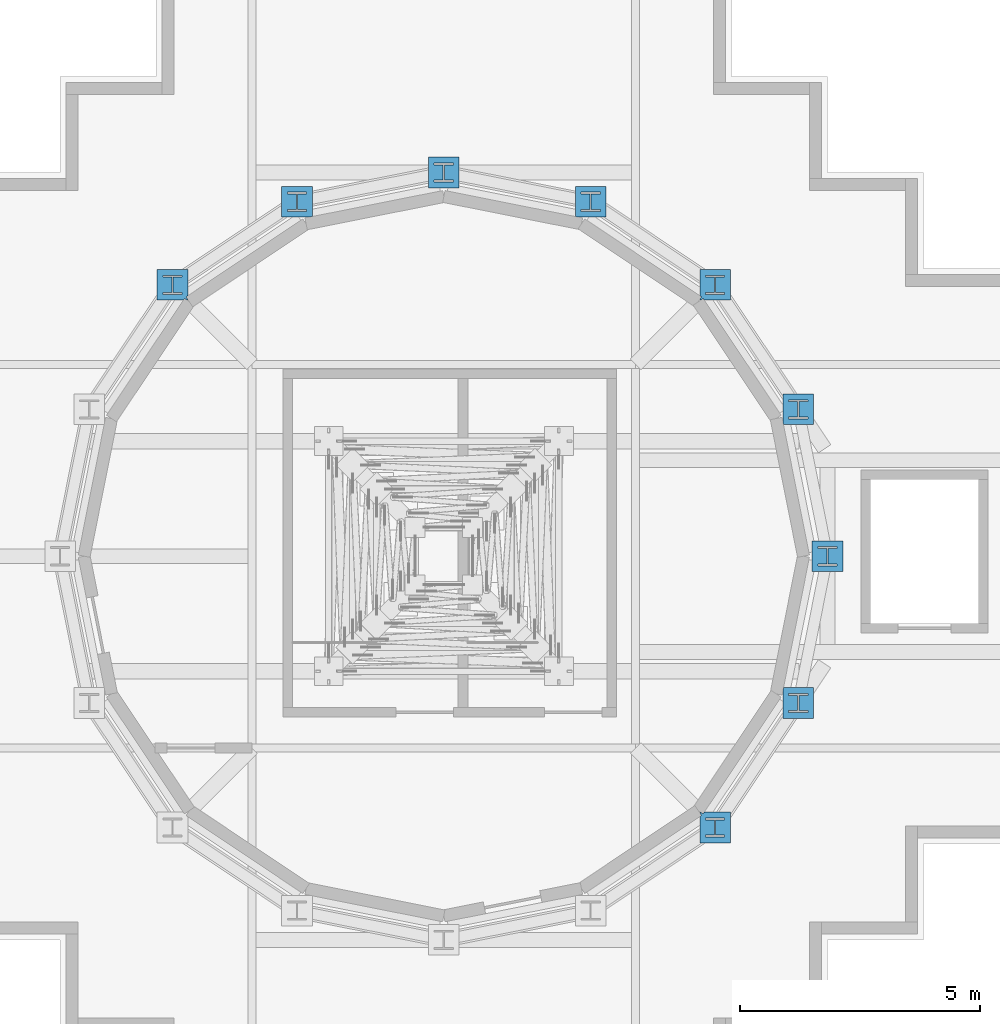
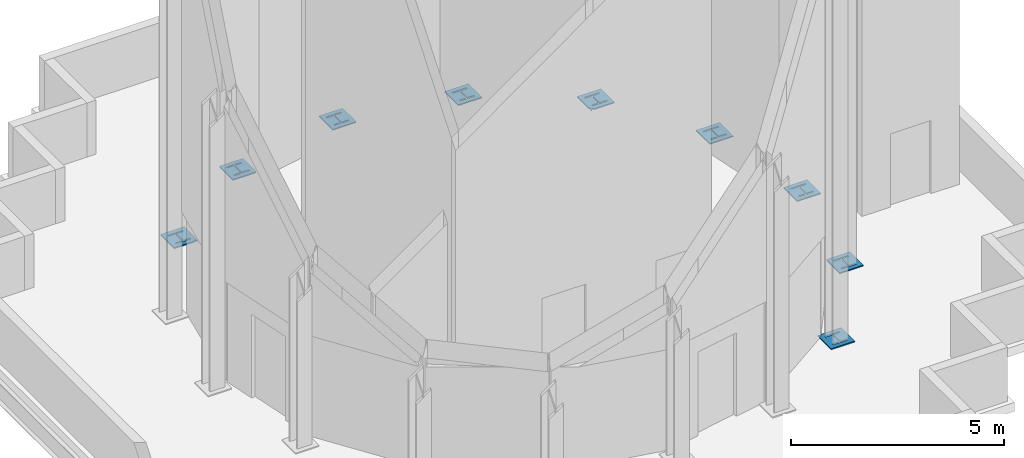
# One storey, part 14 of 15: 9 discrete accessories.
"""IFC4 building model written with IfcOpenShell, lengths in metres."""

from ifc_helpers import new_model, si_unit, direction, frame, origin, place, context, subcontext, project, spatial, polyline, outline, extrude, material, layer, layer_set, type_object, element, save


model = new_model("IFC4")

# Units and contexts
model_context = context("Model", 3, precision=1e-05, world=origin(), true_north=direction((0.0, 1.0)))
body_context = subcontext(model_context, "Body", "Model", "MODEL_VIEW")
ifc_project = project(units=[si_unit("LENGTHUNIT", "METRE"), si_unit("AREAUNIT", "SQUARE_METRE"), si_unit("VOLUMEUNIT", "CUBIC_METRE"), si_unit("PLANEANGLEUNIT", "RADIAN"), si_unit("MASSUNIT", "GRAM", prefix="KILO")], contexts=[model_context])

# Site, building, storey
site_placement = place(None, origin())
site = spatial("IfcSite", under=ifc_project, at=site_placement, CompositionType="ELEMENT")
building_placement = place(site_placement, origin())
building = spatial("IfcBuilding", under=site, at=building_placement, Name="Immortelle Media Tower", CompositionType="ELEMENT")
storey_placement = place(building_placement, frame((0.0, 0.0, 308.0)))
storey = spatial("IfcBuildingStorey", under=building, at=storey_placement, Name="Roof", CompositionType="ELEMENT", Elevation=308.0)

# Discrete accessories
ifc_material = material(Name="Steel ASTM A572 Gr 50", Category="steel")
ifc_layer = layer(ifc_material, 0.030029296875)
ifc_layer_set = layer_set([ifc_layer], Name="Steel ASTM A572 Gr 50")
discrete_accessory_type = type_object("IfcDiscreteAccessoryType", Name="Column foot plate BP5 640 x 640 x 30", PredefinedType="ANCHORPLATE", material=ifc_layer_set)
discrete_accessory_1_placement = place(storey_placement, frame((20.0, 12.0, 0.0), z_axis=(0.0, 0.0, 1.0), x_axis=(1.0, 0.0, 0.0)))
element("IfcDiscreteAccessory", 1, at=discrete_accessory_1_placement, inside=storey, type_object=discrete_accessory_type, Name="Foot plate BP5 of Drum column 1", PredefinedType="ANCHORPLATE", context=body_context, shape_type="SweptSolid", body=[
    extrude(outline(polyline([(-0.320068359375, -0.320068359375), (0.320068359375, -0.320068359375), (0.320068359375, 0.320068359375), (-0.320068359375, 0.320068359375), (-0.320068359375, -0.320068359375)]), holes=[polyline([(0.012451171875, -0.159423828125), (0.200439453125, -0.159423828125), (0.200439453125, -0.199462890625), (0.012451171875, -0.199462890625), (-0.012451171875, -0.199462890625), (-0.200439453125, -0.199462890625), (-0.200439453125, -0.159423828125), (-0.012451171875, -0.159423828125), (-0.012451171875, 0.159423828125), (-0.200439453125, 0.159423828125), (-0.200439453125, 0.199462890625), (-0.012451171875, 0.199462890625), (0.012451171875, 0.199462890625), (0.200439453125, 0.199462890625), (0.200439453125, 0.159423828125), (0.012451171875, 0.159423828125), (0.012451171875, -0.159423828125)])]), origin(), (0.0, 0.0, 1.0), 0.030029296875),
])
discrete_accessory_2_placement = place(storey_placement, frame((19.39111328125, 15.0615234375, 0.0), z_axis=(0.0, 0.0, 1.0), x_axis=(1.0, 0.0, 0.0)))
element("IfcDiscreteAccessory", 2, at=discrete_accessory_2_placement, inside=storey, type_object=discrete_accessory_type, Name="Foot plate BP5 of Drum column 2", PredefinedType="ANCHORPLATE", context=body_context, shape_type="SweptSolid", body=[
    extrude(outline(polyline([(0.320068359375, 0.320068359375), (-0.320068359375, 0.320068359375), (-0.320068359375, -0.26416015625), (-0.308837890625, -0.320068359375), (0.320068359375, -0.320068359375), (0.320068359375, 0.320068359375)]), holes=[polyline([(0.012451171875, -0.159423828125), (0.200439453125, -0.159423828125), (0.200439453125, -0.199462890625), (0.012451171875, -0.199462890625), (-0.012451171875, -0.199462890625), (-0.200439453125, -0.199462890625), (-0.200439453125, -0.159423828125), (-0.012451171875, -0.159423828125), (-0.012451171875, 0.159423828125), (-0.200439453125, 0.159423828125), (-0.200439453125, 0.199462890625), (-0.012451171875, 0.199462890625), (0.012451171875, 0.199462890625), (0.200439453125, 0.199462890625), (0.200439453125, 0.159423828125), (0.012451171875, 0.159423828125), (0.012451171875, -0.159423828125)])]), origin(), (0.0, 0.0, 1.0), 0.030029296875),
])
discrete_accessory_3_placement = place(storey_placement, frame((17.656982421875, 17.656982421875, 0.0), z_axis=(0.0, 0.0, 1.0), x_axis=(1.0, 0.0, 0.0)))
element("IfcDiscreteAccessory", 3, at=discrete_accessory_3_placement, inside=storey, type_object=discrete_accessory_type, Name="Foot plate BP5 of Drum column 3", PredefinedType="ANCHORPLATE", context=body_context, shape_type="SweptSolid", body=[
    extrude(outline(polyline([(0.320068359375, 0.320068359375), (-0.320068359375, 0.320068359375), (-0.320068359375, -0.225830078125), (-0.2841796875, -0.249755859375), (-0.320068359375, -0.30322265625), (-0.320068359375, -0.320068359375), (-0.30322265625, -0.320068359375), (-0.249755859375, -0.2841796875), (-0.225830078125, -0.320068359375), (0.320068359375, -0.320068359375), (0.320068359375, 0.320068359375)]), holes=[polyline([(0.012451171875, -0.159423828125), (0.200439453125, -0.159423828125), (0.200439453125, -0.199462890625), (0.012451171875, -0.199462890625), (-0.012451171875, -0.199462890625), (-0.200439453125, -0.199462890625), (-0.200439453125, -0.159423828125), (-0.012451171875, -0.159423828125), (-0.012451171875, 0.159423828125), (-0.200439453125, 0.159423828125), (-0.200439453125, 0.199462890625), (-0.012451171875, 0.199462890625), (0.012451171875, 0.199462890625), (0.200439453125, 0.199462890625), (0.200439453125, 0.159423828125), (0.012451171875, 0.159423828125), (0.012451171875, -0.159423828125)])]), origin(), (0.0, 0.0, 1.0), 0.030029296875),
])
discrete_accessory_4_placement = place(storey_placement, frame((15.0615234375, 19.39111328125, 0.0), z_axis=(0.0, 0.0, 1.0), x_axis=(1.0, 0.0, 0.0)))
element("IfcDiscreteAccessory", 4, at=discrete_accessory_4_placement, inside=storey, type_object=discrete_accessory_type, Name="Foot plate BP5 of Drum column 4", PredefinedType="ANCHORPLATE", context=body_context, shape_type="SweptSolid", body=[
    extrude(outline(polyline([(0.320068359375, 0.320068359375), (-0.320068359375, 0.320068359375), (-0.320068359375, -0.308837890625), (-0.26416015625, -0.320068359375), (0.320068359375, -0.320068359375), (0.320068359375, 0.320068359375)]), holes=[polyline([(0.012451171875, -0.159423828125), (0.200439453125, -0.159423828125), (0.200439453125, -0.199462890625), (0.012451171875, -0.199462890625), (-0.012451171875, -0.199462890625), (-0.200439453125, -0.199462890625), (-0.200439453125, -0.159423828125), (-0.012451171875, -0.159423828125), (-0.012451171875, 0.159423828125), (-0.200439453125, 0.159423828125), (-0.200439453125, 0.199462890625), (-0.012451171875, 0.199462890625), (0.012451171875, 0.199462890625), (0.200439453125, 0.199462890625), (0.200439453125, 0.159423828125), (0.012451171875, 0.159423828125), (0.012451171875, -0.159423828125)])]), origin(), (0.0, 0.0, 1.0), 0.030029296875),
])
discrete_accessory_5_placement = place(storey_placement, frame((12.0, 20.0, 0.0), z_axis=(0.0, 0.0, 1.0), x_axis=(1.0, 0.0, 0.0)))
element("IfcDiscreteAccessory", 5, at=discrete_accessory_5_placement, inside=storey, type_object=discrete_accessory_type, Name="Foot plate BP5 of Drum column 5", PredefinedType="ANCHORPLATE", context=body_context, shape_type="SweptSolid", body=[
    extrude(outline(polyline([(-0.320068359375, -0.320068359375), (0.320068359375, -0.320068359375), (0.320068359375, 0.320068359375), (-0.320068359375, 0.320068359375), (-0.320068359375, -0.320068359375)]), holes=[polyline([(0.012451171875, -0.159423828125), (0.200439453125, -0.159423828125), (0.200439453125, -0.199462890625), (0.012451171875, -0.199462890625), (-0.012451171875, -0.199462890625), (-0.200439453125, -0.199462890625), (-0.200439453125, -0.159423828125), (-0.012451171875, -0.159423828125), (-0.012451171875, 0.159423828125), (-0.200439453125, 0.159423828125), (-0.200439453125, 0.199462890625), (-0.012451171875, 0.199462890625), (0.012451171875, 0.199462890625), (0.200439453125, 0.199462890625), (0.200439453125, 0.159423828125), (0.012451171875, 0.159423828125), (0.012451171875, -0.159423828125)])]), origin(), (0.0, 0.0, 1.0), 0.030029296875),
])
discrete_accessory_6_placement = place(storey_placement, frame((8.9384765625, 19.39111328125, 0.0), z_axis=(0.0, 0.0, 1.0), x_axis=(1.0, 0.0, 0.0)))
element("IfcDiscreteAccessory", 6, at=discrete_accessory_6_placement, inside=storey, type_object=discrete_accessory_type, Name="Foot plate BP5 of Drum column 6", PredefinedType="ANCHORPLATE", context=body_context, shape_type="SweptSolid", body=[
    extrude(outline(polyline([(-0.320068359375, 0.320068359375), (-0.320068359375, -0.320068359375), (0.26416015625, -0.320068359375), (0.320068359375, -0.308837890625), (0.320068359375, 0.320068359375), (-0.320068359375, 0.320068359375)]), holes=[polyline([(0.012451171875, -0.159423828125), (0.200439453125, -0.159423828125), (0.200439453125, -0.199462890625), (0.012451171875, -0.199462890625), (-0.012451171875, -0.199462890625), (-0.200439453125, -0.199462890625), (-0.200439453125, -0.159423828125), (-0.012451171875, -0.159423828125), (-0.012451171875, 0.159423828125), (-0.200439453125, 0.159423828125), (-0.200439453125, 0.199462890625), (-0.012451171875, 0.199462890625), (0.012451171875, 0.199462890625), (0.200439453125, 0.199462890625), (0.200439453125, 0.159423828125), (0.012451171875, 0.159423828125), (0.012451171875, -0.159423828125)])]), origin(), (0.0, 0.0, 1.0), 0.030029296875),
])
discrete_accessory_7_placement = place(storey_placement, frame((6.343017578125, 17.656982421875, 0.0), z_axis=(0.0, 0.0, 1.0), x_axis=(1.0, 0.0, 0.0)))
element("IfcDiscreteAccessory", 7, at=discrete_accessory_7_placement, inside=storey, type_object=discrete_accessory_type, Name="Foot plate BP5 of Drum column 7", PredefinedType="ANCHORPLATE", context=body_context, shape_type="SweptSolid", body=[
    extrude(outline(polyline([(0.30322265625, -0.320068359375), (0.320068359375, -0.320068359375), (0.320068359375, -0.30322265625), (0.2841796875, -0.249755859375), (0.320068359375, -0.225830078125), (0.320068359375, 0.320068359375), (-0.320068359375, 0.320068359375), (-0.320068359375, -0.320068359375), (0.225830078125, -0.320068359375), (0.249755859375, -0.2841796875), (0.30322265625, -0.320068359375)]), holes=[polyline([(0.012451171875, -0.159423828125), (0.200439453125, -0.159423828125), (0.200439453125, -0.199462890625), (0.012451171875, -0.199462890625), (-0.012451171875, -0.199462890625), (-0.200439453125, -0.199462890625), (-0.200439453125, -0.159423828125), (-0.012451171875, -0.159423828125), (-0.012451171875, 0.159423828125), (-0.200439453125, 0.159423828125), (-0.200439453125, 0.199462890625), (-0.012451171875, 0.199462890625), (0.012451171875, 0.199462890625), (0.200439453125, 0.199462890625), (0.200439453125, 0.159423828125), (0.012451171875, 0.159423828125), (0.012451171875, -0.159423828125)])]), origin(), (0.0, 0.0, 1.0), 0.030029296875),
])
discrete_accessory_8_placement = place(storey_placement, frame((17.656982421875, 6.343017578125, 0.0), z_axis=(0.0, 0.0, 1.0), x_axis=(1.0, 0.0, 0.0)))
element("IfcDiscreteAccessory", 8, at=discrete_accessory_8_placement, inside=storey, type_object=discrete_accessory_type, Name="Foot plate BP5 of Drum column 15", PredefinedType="ANCHORPLATE", context=body_context, shape_type="SweptSolid", body=[
    extrude(outline(polyline([(0.320068359375, -0.320068359375), (0.320068359375, 0.320068359375), (-0.225830078125, 0.320068359375), (-0.249755859375, 0.2841796875), (-0.30322265625, 0.320068359375), (-0.320068359375, 0.320068359375), (-0.320068359375, 0.30322265625), (-0.2841796875, 0.249755859375), (-0.320068359375, 0.225830078125), (-0.320068359375, -0.320068359375), (0.320068359375, -0.320068359375)]), holes=[polyline([(0.012451171875, -0.159423828125), (0.200439453125, -0.159423828125), (0.200439453125, -0.199462890625), (0.012451171875, -0.199462890625), (-0.012451171875, -0.199462890625), (-0.200439453125, -0.199462890625), (-0.200439453125, -0.159423828125), (-0.012451171875, -0.159423828125), (-0.012451171875, 0.159423828125), (-0.200439453125, 0.159423828125), (-0.200439453125, 0.199462890625), (-0.012451171875, 0.199462890625), (0.012451171875, 0.199462890625), (0.200439453125, 0.199462890625), (0.200439453125, 0.159423828125), (0.012451171875, 0.159423828125), (0.012451171875, -0.159423828125)])]), origin(), (0.0, 0.0, 1.0), 0.030029296875),
])
discrete_accessory_9_placement = place(storey_placement, frame((19.39111328125, 8.9384765625, 0.0), z_axis=(0.0, 0.0, 1.0), x_axis=(1.0, 0.0, 0.0)))
element("IfcDiscreteAccessory", 9, at=discrete_accessory_9_placement, inside=storey, type_object=discrete_accessory_type, Name="Foot plate BP5 of Drum column 16", PredefinedType="ANCHORPLATE", context=body_context, shape_type="SweptSolid", body=[
    extrude(outline(polyline([(0.320068359375, -0.320068359375), (0.320068359375, 0.320068359375), (-0.308837890625, 0.320068359375), (-0.320068359375, 0.26416015625), (-0.320068359375, -0.320068359375), (0.320068359375, -0.320068359375)]), holes=[polyline([(0.012451171875, -0.159423828125), (0.200439453125, -0.159423828125), (0.200439453125, -0.199462890625), (0.012451171875, -0.199462890625), (-0.012451171875, -0.199462890625), (-0.200439453125, -0.199462890625), (-0.200439453125, -0.159423828125), (-0.012451171875, -0.159423828125), (-0.012451171875, 0.159423828125), (-0.200439453125, 0.159423828125), (-0.200439453125, 0.199462890625), (-0.012451171875, 0.199462890625), (0.012451171875, 0.199462890625), (0.200439453125, 0.199462890625), (0.200439453125, 0.159423828125), (0.012451171875, 0.159423828125), (0.012451171875, -0.159423828125)])]), origin(), (0.0, 0.0, 1.0), 0.030029296875),
])

save(model, "model.ifc")
